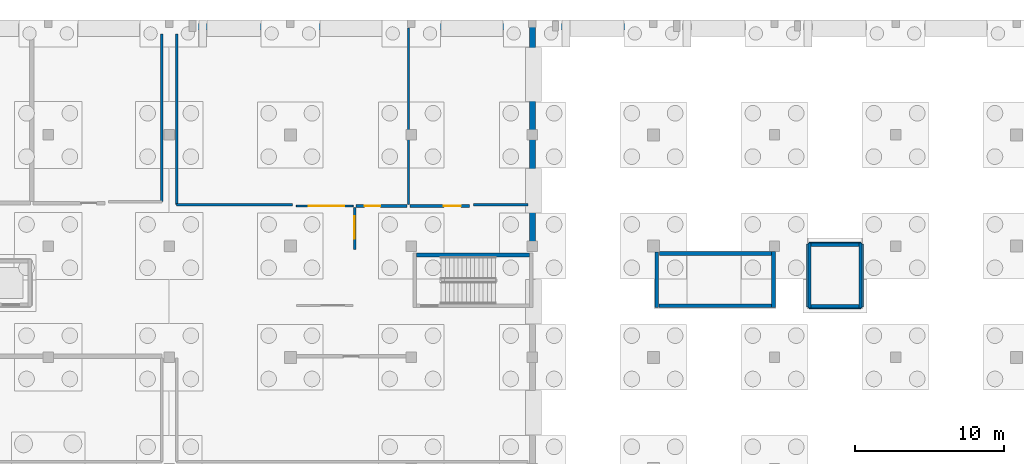
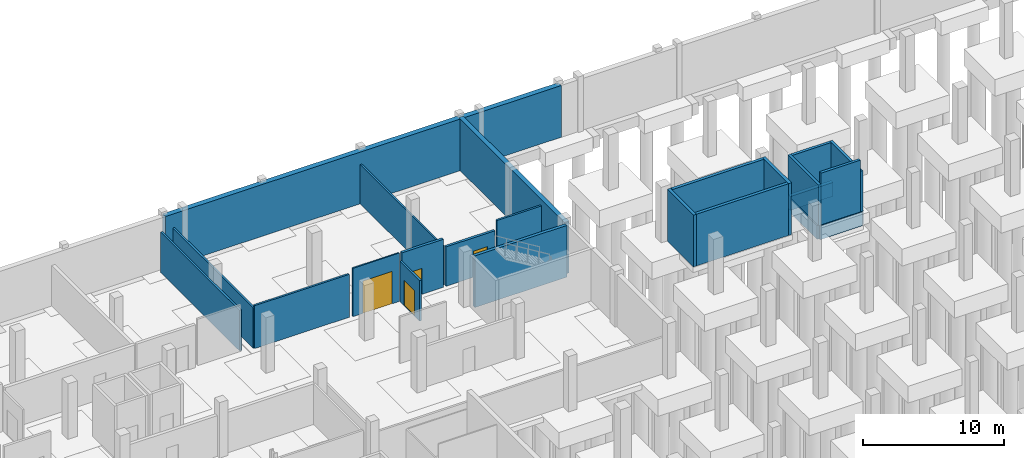
# One storey, part 30 of 37: 24 walls, 4 doors, 4 openings.
"""IFC4 building model written with IfcOpenShell, lengths in metres."""

from ifc_helpers import new_model, si_unit, direction, frame, frame_2d, origin, place, context, subcontext, project, spatial, rectangle, extrude, material, layer, layer_set, type_object, element, fill, save


model = new_model("IFC4")

# Units and contexts
model_context = context("Model", 3, precision=1e-05, world=origin(), true_north=direction((0.0, 1.0)))
body_context = subcontext(model_context, "Body", "Model", "MODEL_VIEW")
ifc_project = project(units=[si_unit("LENGTHUNIT", "METRE"), si_unit("AREAUNIT", "SQUARE_METRE"), si_unit("VOLUMEUNIT", "CUBIC_METRE"), si_unit("PLANEANGLEUNIT", "RADIAN"), si_unit("MASSUNIT", "GRAM", prefix="KILO")], contexts=[model_context])

# Site, building, storey
site_placement = place(None, origin())
site = spatial("IfcSite", under=ifc_project, at=site_placement, CompositionType="ELEMENT")
building_placement = place(site_placement, origin())
building = spatial("IfcBuilding", under=site, at=building_placement, Name="Kaelora Sail Theatre", CompositionType="ELEMENT")
storey_placement = place(building_placement, frame((0.0, 0.0, -4.800048828125)))
storey = spatial("IfcBuildingStorey", under=building, at=storey_placement, Name="B1", CompositionType="ELEMENT", Elevation=-4.800048828125)

# Walls
ifc_material_1 = material(Name="Concrete C40/50", Category="concrete")
ifc_layer_1 = layer(ifc_material_1, 0.25)
ifc_layer_set_1 = layer_set([ifc_layer_1], Name="Concrete C40/50")
wall_type_1 = type_object("IfcWallType", Name="ARC-WL-CW-250", PredefinedType="SHEAR", material=ifc_layer_set_1)
for number, where, z_axis, x_axis, name in (
    (1, (82.85498046875, 97.625, 0.0), (0.0, 0.0, 1.0), (1.0, 0.0, 0.0), "Stair shaft ST-K3 wall B1-N"),
    (2, (99.054931640625, 94.22509765625, 0.0), (0.0, 0.0, 1.0), (1.0, 0.0, 0.0), "Stair shaft ST-K4 wall B1-S"),
):
    element("IfcWall", number, at=place(storey_placement, frame(where, z_axis=z_axis, x_axis=x_axis)), inside=storey, type_object=wall_type_1, Name=name, PredefinedType="SHEAR", context=body_context, shape_type="SweptSolid", body=[
        extrude(rectangle(XDim=7.5400390625, YDim=0.25, at=frame_2d((3.77001953125, 0.0))), origin(), (0.0, 0.0, 1.0), 4.47998046875),
    ])
wall_1_placement = place(storey_placement, frame((99.10498046875, 97.72509765625, 0.0), z_axis=(0.0, 0.0, 1.0), x_axis=(1.0, 0.0, 0.0)))
element("IfcWall", 3, at=wall_1_placement, inside=storey, type_object=wall_type_1, Name="Stair shaft ST-K4 wall B1-N", PredefinedType="SHEAR", context=body_context, shape_type="SweptSolid", body=[
    extrude(rectangle(XDim=7.489990234375, YDim=0.25, at=frame_2d((3.7451171875, 0.0))), origin(), (0.0, 0.0, 1.0), 4.47998046875),
])
wall_2_placement = place(storey_placement, frame((98.925048828125, 94.10009765625, 0.0), z_axis=(0.0, 0.0, 1.0), x_axis=(0.0, 1.0, 0.0)))
element("IfcWall", 4, at=wall_2_placement, inside=storey, type_object=wall_type_1, Name="Stair shaft ST-K4 wall B1-W", PredefinedType="SHEAR", context=body_context, shape_type="SweptSolid", body=[
    extrude(rectangle(XDim=3.71484375, YDim=0.25, at=frame_2d((1.857421875, 0.0))), origin(), (0.0, 0.0, 1.0), 4.47998046875),
])
wall_3_placement = place(storey_placement, frame((106.72509765625, 94.10009765625, 0.0), z_axis=(0.0, 0.0, 1.0), x_axis=(0.0, 1.0, 0.0)))
element("IfcWall", 5, at=wall_3_placement, inside=storey, type_object=wall_type_1, Name="Stair shaft ST-K4 wall B1-E", PredefinedType="SHEAR", context=body_context, shape_type="SweptSolid", body=[
    extrude(rectangle(XDim=3.75, YDim=0.25, at=frame_2d((1.875, 0.0))), origin(), (0.0, 0.0, 1.0), 4.47998046875),
])

# Wall, opening, door
ifc_material_2 = material(Name="Office acoustic stud partition 110 mm", Category="gypsum")
ifc_layer_2 = layer(ifc_material_2, 0.110107421875)
ifc_layer_set_2 = layer_set([ifc_layer_2], Name="Office acoustic stud partition 110 mm")
wall_type_2 = type_object("IfcWallType", Name="ARC-WL-PT-110", PredefinedType="PARTITIONING", material=ifc_layer_set_2)
wall_4_placement = place(storey_placement, frame((74.800048828125, 100.89990234375, 0.0), z_axis=(0.0, 0.0, 1.0), x_axis=(1.0, 0.0, 0.0)))
wall_4 = element("IfcWall", 6, at=wall_4_placement, inside=storey, type_object=wall_type_2, Name="Interior acoustic partition B1-COR-SPUR2/B1-INST", PredefinedType="PARTITIONING", context=body_context, shape_type="SweptSolid", body=[
    extrude(rectangle(XDim=3.800048828125, YDim=0.110107421875, at=frame_2d((1.89990234375, 0.0))), origin(), (0.0, 0.0, 1.0), 4.192138671875),
])
opening_1_placement = place(wall_4_placement, frame((0.820068359375, 0.0, 0.0)))
opening_1 = element("IfcOpeningElement", 7, at=opening_1_placement, cuts=wall_4, Name="Opening ID-05", PredefinedType="OPENING", context=body_context, shape_type="SweptSolid", body=[
    extrude(rectangle(XDim=2.39990234375, YDim=2.800048828125, at=frame_2d((1.199951171875, 1.39990234375))), frame((0.0, 0.065176, 0.0), z_axis=(0.0, -1.0, 0.0), x_axis=(1.0, 0.0, 0.0)), (0.0, 0.0, 1.0), 0.130107),
])
ifc_material_3 = material(Name="Scenery workshop oversize acoustic double door", Category="steel")
door_type_1 = type_object("IfcDoorType", Name="ARC-DR-ID-05", OperationType="NOTDEFINED", PredefinedType="DOOR", material=ifc_material_3)
door_1_placement = place(opening_1_placement, origin())
door_1 = element("IfcDoor", 8, at=door_1_placement, inside=storey, type_object=door_type_1, Name="Interior door B1-COR-SPUR2 to B1-INST", OperationType="DOUBLE_DOOR_SINGLE_SWING", OverallHeight=2.800048828125, OverallWidth=2.39990234375, PredefinedType="DOOR", context=body_context, shape_type="SweptSolid", body=[
    extrude(rectangle(XDim=2.39990234375, YDim=2.800048828125, at=frame_2d((1.199951171875, 1.39990234375))), frame((0.0, 0.02490234375, 0.0), z_axis=(0.0, -1.0, 0.0), x_axis=(1.0, 0.0, 0.0)), (0.0, 0.0, 1.0), 0.050048828125),
])
fill(opening_1, door_1)

# Walls
ifc_material_4 = material(Name="Fire-rated stud partition 140 mm", Category="gypsum")
ifc_layer_3 = layer(ifc_material_4, 0.139892578125)
ifc_layer_set_3 = layer_set([ifc_layer_3], Name="Fire-rated stud partition 140 mm")
wall_type_3 = type_object("IfcWallType", Name="ARC-WL-PT-140", PredefinedType="PARTITIONING", material=ifc_layer_set_3)
wall_5_placement = place(storey_placement, frame((82.300048828125, 101.0, 0.0), z_axis=(0.0, 0.0, 1.0), x_axis=(0.0, 1.0, 0.0)))
element("IfcWall", 9, at=wall_5_placement, inside=storey, type_object=wall_type_3, Name="Interior acoustic partition B1-INST/B1-ARCH", PredefinedType="PARTITIONING", context=body_context, shape_type="SweptSolid", body=[
    extrude(rectangle(XDim=11.81005859375, YDim=0.139892578125, at=frame_2d((5.905029296875, 0.0))), origin(), (0.0, 0.0, 1.0), 3.412109375),
])
ifc_material_5 = material(Name="Acoustic metal-stud plasterboard 160 mm", Category="gypsum")
ifc_layer_4 = layer(ifc_material_5, 0.159912109375)
ifc_layer_set_4 = layer_set([ifc_layer_4], Name="Acoustic metal-stud plasterboard 160 mm")
wall_type_4 = type_object("IfcWallType", Name="ARC-WL-PT-160", PredefinedType="PARTITIONING", material=ifc_layer_set_4)
wall_6_placement = place(storey_placement, frame((65.800048828125, 101.199951171875, 0.0), z_axis=(0.0, 0.0, 1.0), x_axis=(0.0, 1.0, 0.0)))
element("IfcWall", 10, at=wall_6_placement, inside=storey, type_object=wall_type_4, Name="Room enclosure wall B1-PUMP-E1", PredefinedType="PARTITIONING", context=body_context, shape_type="SweptSolid", body=[
    extrude(rectangle(XDim=11.199951171875, YDim=0.159912109375, at=frame_2d((5.60009765625, 0.0))), origin(), (0.0, 0.0, 1.0), 3.511962890625),
])
wall_7_placement = place(storey_placement, frame((66.800048828125, 101.0, 0.0), z_axis=(0.0, 0.0, 1.0), x_axis=(1.0, 0.0, 0.0)))
element("IfcWall", 11, at=wall_7_placement, inside=storey, type_object=wall_type_4, Name="Room enclosure wall B1-INST-S1", PredefinedType="PARTITIONING", context=body_context, shape_type="SweptSolid", body=[
    extrude(rectangle(XDim=7.75, YDim=0.159912109375, at=frame_2d((3.875, 0.0))), origin(), (0.0, 0.0, 1.0), 3.712158203125),
])
wall_8_placement = place(storey_placement, frame((66.800048828125, 101.0, 0.0), z_axis=(0.0, 0.0, 1.0), x_axis=(0.0, 1.0, 0.0)))
element("IfcWall", 12, at=wall_8_placement, inside=storey, type_object=wall_type_4, Name="Room enclosure wall B1-INST-W1", PredefinedType="PARTITIONING", context=body_context, shape_type="SweptSolid", body=[
    extrude(rectangle(XDim=11.39990234375, YDim=0.159912109375, at=frame_2d((5.699951171875, 0.0))), origin(), (0.0, 0.0, 1.0), 3.511962890625),
])
wall_9_placement = place(storey_placement, frame((86.64990234375, 101.0, 0.0), z_axis=(0.0, 0.0, 1.0), x_axis=(1.0, 0.0, 0.0)))
element("IfcWall", 13, at=wall_9_placement, inside=storey, type_object=wall_type_4, Name="Room enclosure wall B1-ARCH-S1", PredefinedType="PARTITIONING", context=body_context, shape_type="SweptSolid", body=[
    extrude(rectangle(XDim=3.650146484375, YDim=0.159912109375, at=frame_2d((1.8251953125, 0.0))), origin(), (0.0, 0.0, 1.0), 4.132080078125),
])

# Wall, opening, door
ifc_material_6 = material(Name="Workshop acoustic stud partition 170 mm", Category="gypsum")
ifc_layer_5 = layer(ifc_material_6, 0.169921875)
ifc_layer_set_5 = layer_set([ifc_layer_5], Name="Workshop acoustic stud partition 170 mm")
wall_type_5 = type_object("IfcWallType", Name="ARC-WL-PT-170", PredefinedType="PARTITIONING", material=ifc_layer_set_5)
wall_10_placement = place(storey_placement, frame((78.699951171875, 98.0, 0.0), z_axis=(0.0, 0.0, 1.0), x_axis=(0.0, 1.0, 0.0)))
wall_10 = element("IfcWall", 14, at=wall_10_placement, inside=storey, type_object=wall_type_5, Name="Interior acoustic partition B1-COR-SPUR2/B1-COR-SPUR2E", PredefinedType="PARTITIONING", context=body_context, shape_type="SweptSolid", body=[
    extrude(rectangle(XDim=2.800048828125, YDim=0.169921875, at=frame_2d((1.39990234375, 0.0))), origin(), (0.0, 0.0, 1.0), 3.511962890625),
])
opening_2_placement = place(wall_10_placement, frame((0.719970703125, 0.0, 0.0)))
opening_2 = element("IfcOpeningElement", 15, at=opening_2_placement, cuts=wall_10, Name="Opening FD-01", PredefinedType="OPENING", context=body_context, shape_type="SweptSolid", body=[
    extrude(rectangle(XDim=1.5, YDim=2.199951171875, at=frame_2d((0.75, 1.10009765625))), frame((0.0, 0.094961, 0.0), z_axis=(0.0, -1.0, 0.0), x_axis=(1.0, 0.0, 0.0)), (0.0, 0.0, 1.0), 0.189922),
])
ifc_material_7 = material(Name="Acoustic steel double fire door EI 90-C", Category="steel")
door_type_2 = type_object("IfcDoorType", Name="ARC-DR-FD-01", OperationType="NOTDEFINED", PredefinedType="DOOR", material=ifc_material_7)
door_2_placement = place(opening_2_placement, origin())
door_2 = element("IfcDoor", 16, at=door_2_placement, inside=storey, type_object=door_type_2, Name="Interior door B1-COR-SPUR2 to B1-COR-SPUR2E", OperationType="DOUBLE_DOOR_SINGLE_SWING", OverallHeight=2.199951171875, OverallWidth=1.5, PredefinedType="DOOR", context=body_context, shape_type="SweptSolid", body=[
    extrude(rectangle(XDim=1.5, YDim=2.199951171875, at=frame_2d((0.75, 1.10009765625))), frame((0.0, 0.02490234375, 0.0), z_axis=(0.0, -1.0, 0.0), x_axis=(1.0, 0.0, 0.0)), (0.0, 0.0, 1.0), 0.050048828125),
])
fill(opening_2, door_2)

ifc_material_8 = material(Name="Acoustic double-stud plasterboard 200 mm", Category="gypsum")
ifc_layer_6 = layer(ifc_material_8, 0.199951171875)
ifc_layer_set_6 = layer_set([ifc_layer_6], Name="Acoustic double-stud plasterboard 200 mm")
wall_type_6 = type_object("IfcWallType", Name="ARC-WL-PT-200", PredefinedType="PARTITIONING", material=ifc_layer_set_6)
wall_11_placement = place(storey_placement, frame((82.39990234375, 100.89990234375, 0.0), z_axis=(0.0, 0.0, 1.0), x_axis=(1.0, 0.0, 0.0)))
wall_11 = element("IfcWall", 17, at=wall_11_placement, inside=storey, type_object=wall_type_6, Name="Interior acoustic partition B1-COR-SPUR2E/B1-ARCH", PredefinedType="PARTITIONING", context=body_context, shape_type="SweptSolid", body=[
    extrude(rectangle(XDim=4.0, YDim=0.199951171875, at=frame_2d((2.0, 0.0))), origin(), (0.0, 0.0, 1.0), 3.412109375),
])
opening_3_placement = place(wall_11_placement, frame((2.27001953125, 0.0, 0.0)))
opening_3 = element("IfcOpeningElement", 18, at=opening_3_placement, cuts=wall_11, Name="Opening ID-07", PredefinedType="OPENING", context=body_context, shape_type="SweptSolid", body=[
    extrude(rectangle(XDim=1.14990234375, YDim=2.25, at=frame_2d((0.574951171875, 1.125))), frame((0.0, 0.110098, 0.0), z_axis=(0.0, -1.0, 0.0), x_axis=(1.0, 0.0, 0.0)), (0.0, 0.0, 1.0), 0.219951),
])
ifc_material_9 = material(Name="Chorus ensemble wide single door", Category="steel")
door_type_3 = type_object("IfcDoorType", Name="ARC-DR-ID-07", OperationType="NOTDEFINED", PredefinedType="DOOR", material=ifc_material_9)
door_3_placement = place(opening_3_placement, origin())
door_3 = element("IfcDoor", 19, at=door_3_placement, inside=storey, type_object=door_type_3, Name="Interior door B1-COR-SPUR2E to B1-ARCH", OperationType="SINGLE_SWING_RIGHT", OverallHeight=2.25, OverallWidth=1.14990234375, PredefinedType="DOOR", context=body_context, shape_type="SweptSolid", body=[
    extrude(rectangle(XDim=1.14990234375, YDim=2.25, at=frame_2d((0.574951171875, 1.125))), frame((0.0, 0.02490234375, 0.0), z_axis=(0.0, -1.0, 0.0), x_axis=(1.0, 0.0, 0.0)), (0.0, 0.0, 1.0), 0.050048828125),
])
fill(opening_3, door_3)

ifc_material_10 = material(Name="Studio box-in-box acoustic partition 215 mm", Category="gypsum")
ifc_layer_7 = layer(ifc_material_10, 0.215087890625)
ifc_layer_set_7 = layer_set([ifc_layer_7], Name="Studio box-in-box acoustic partition 215 mm")
wall_type_7 = type_object("IfcWallType", Name="ARC-WL-PT-215", PredefinedType="PARTITIONING", material=ifc_layer_set_7)
wall_12_placement = place(storey_placement, frame((78.800048828125, 100.89990234375, 0.0), z_axis=(0.0, 0.0, 1.0), x_axis=(1.0, 0.0, 0.0)))
wall_12 = element("IfcWall", 20, at=wall_12_placement, inside=storey, type_object=wall_type_7, Name="Interior acoustic partition B1-COR-SPUR2E/B1-INST", PredefinedType="PARTITIONING", context=body_context, shape_type="SweptSolid", body=[
    extrude(rectangle(XDim=3.39990234375, YDim=0.215087890625, at=frame_2d((1.699951171875, 0.0))), origin(), (0.0, 0.0, 1.0), 4.162109375),
])
opening_4_placement = place(wall_12_placement, frame((0.580078125, 0.0, 0.0)))
opening_4 = element("IfcOpeningElement", 21, at=opening_4_placement, cuts=wall_12, Name="Opening ID-06", PredefinedType="OPENING", context=body_context, shape_type="SweptSolid", body=[
    extrude(rectangle(XDim=1.050048828125, YDim=2.25, at=frame_2d((0.52490234375, 1.125))), frame((0.0, 0.117422, 0.0), z_axis=(0.0, -1.0, 0.0), x_axis=(1.0, 0.0, 0.0)), (0.0, 0.0, 1.0), 0.235088),
])
ifc_material_11 = material(Name="Soloist dressing acoustic timber door", Category="wood")
door_type_4 = type_object("IfcDoorType", Name="ARC-DR-ID-06", OperationType="NOTDEFINED", PredefinedType="DOOR", material=ifc_material_11)
door_4_placement = place(opening_4_placement, origin())
door_4 = element("IfcDoor", 22, at=door_4_placement, inside=storey, type_object=door_type_4, Name="Interior door B1-COR-SPUR2E to B1-INST", OperationType="SINGLE_SWING_LEFT", OverallHeight=2.25, OverallWidth=1.050048828125, PredefinedType="DOOR", context=body_context, shape_type="SweptSolid", body=[
    extrude(rectangle(XDim=1.050048828125, YDim=2.25, at=frame_2d((0.52490234375, 1.125))), frame((0.0, 0.02490234375, 0.0), z_axis=(0.0, -1.0, 0.0), x_axis=(1.0, 0.0, 0.0)), (0.0, 0.0, 1.0), 0.050048828125),
])
fill(opening_4, door_4)

# Walls
ifc_material_12 = material(Name="Concrete C40/50", Category="concrete")
ifc_layer_8 = layer(ifc_material_12, 0.3798828125)
ifc_layer_set_8 = layer_set([ifc_layer_8], Name="Concrete C40/50")
wall_type_8 = type_object("IfcWallType", Name="ARC-WL-RW-380", PredefinedType="USERDEFINED", material=ifc_layer_set_8)
wall_13_placement = place(storey_placement, frame((90.610107421875, 97.8798828125, 0.0), z_axis=(0.0, 0.0, 1.0), x_axis=(0.0, 1.0, 0.0)))
element("IfcWall", 23, at=wall_13_placement, inside=storey, type_object=wall_type_8, Name="Grounded concrete plinth retaining wall B1-RW-NW3-E2", ObjectType="RETAINING WALL", PredefinedType="USERDEFINED", context=body_context, shape_type="SweptSolid", body=[
    extrude(rectangle(XDim=15.010009765625, YDim=0.3798828125, at=frame_2d((7.5048828125, 0.0))), origin(), (0.0, 0.0, 1.0), 4.47998046875),
])
wall_14_placement = place(storey_placement, frame((109.10009765625, 94.14990234375, -1.199951171875), z_axis=(0.0, 0.0, 1.0), x_axis=(1.0, 0.0, 0.0)))
element("IfcWall", 24, at=wall_14_placement, inside=storey, type_object=wall_type_8, Name="Lift pit wall GL-01-1", ObjectType="RETAINING WALL", PredefinedType="USERDEFINED", context=body_context, shape_type="SweptSolid", body=[
    extrude(rectangle(XDim=3.5, YDim=0.300048828125, at=frame_2d((1.75, 0.0))), origin(), (0.0, 0.0, 1.0), 1.199951171875),
])
wall_15_placement = place(storey_placement, frame((112.60009765625, 94.14990234375, -1.199951171875), z_axis=(0.0, 0.0, 1.0), x_axis=(0.0, 1.0, 0.0)))
element("IfcWall", 25, at=wall_15_placement, inside=storey, type_object=wall_type_8, Name="Lift pit wall GL-01-2", ObjectType="RETAINING WALL", PredefinedType="USERDEFINED", context=body_context, shape_type="SweptSolid", body=[
    extrude(rectangle(XDim=4.2001953125, YDim=0.300048828125, at=frame_2d((2.10009765625, 0.0))), origin(), (0.0, 0.0, 1.0), 1.199951171875),
])
wall_16_placement = place(storey_placement, frame((112.60009765625, 98.35009765625, -1.199951171875), z_axis=(0.0, 0.0, 1.0), x_axis=(-1.0, 0.0, 0.0)))
element("IfcWall", 26, at=wall_16_placement, inside=storey, type_object=wall_type_8, Name="Lift pit wall GL-01-3", ObjectType="RETAINING WALL", PredefinedType="USERDEFINED", context=body_context, shape_type="SweptSolid", body=[
    extrude(rectangle(XDim=3.5, YDim=0.300048828125, at=frame_2d((1.75, 0.0))), origin(), (0.0, 0.0, 1.0), 1.199951171875),
])
wall_17_placement = place(storey_placement, frame((109.10009765625, 98.35009765625, -1.199951171875), z_axis=(0.0, 0.0, 1.0), x_axis=(0.0, -1.0, 0.0)))
element("IfcWall", 27, at=wall_17_placement, inside=storey, type_object=wall_type_8, Name="Lift pit wall GL-01-4", ObjectType="RETAINING WALL", PredefinedType="USERDEFINED", context=body_context, shape_type="SweptSolid", body=[
    extrude(rectangle(XDim=4.2001953125, YDim=0.300048828125, at=frame_2d((2.10009765625, 0.0))), origin(), (0.0, 0.0, 1.0), 1.199951171875),
])
ifc_material_13 = material(Name="Concrete C45/55", Category="concrete")
ifc_layer_9 = layer(ifc_material_13, 0.419921875)
ifc_layer_set_9 = layer_set([ifc_layer_9], Name="Concrete C45/55")
wall_type_9 = type_object("IfcWallType", Name="ARC-WL-RW-420", PredefinedType="USERDEFINED", material=ifc_layer_set_9)
wall_18_placement = place(storey_placement, frame((66.300048828125, 112.889892578125, 0.0), z_axis=(0.0, 0.0, 1.0), x_axis=(1.0, 0.0, 0.0)))
element("IfcWall", 28, at=wall_18_placement, inside=storey, type_object=wall_type_9, Name="Grounded concrete plinth retaining wall B1-PLINTH-NC2", ObjectType="RETAINING WALL", PredefinedType="USERDEFINED", context=body_context, shape_type="SweptSolid", body=[
    extrude(rectangle(XDim=32.39990234375, YDim=0.419921875, at=frame_2d((16.199951171875, 0.0))), origin(), (0.0, 0.0, 1.0), 4.47998046875),
])
ifc_material_14 = material(Name="Concrete C40/50", Category="concrete")
ifc_layer_10 = layer(ifc_material_14, 0.219970703125)
ifc_layer_set_10 = layer_set([ifc_layer_10], Name="Concrete C40/50")
wall_type_10 = type_object("IfcWallType", Name="ARC-WL-SW-220", PredefinedType="SOLIDWALL", material=ifc_layer_set_10)
wall_19_placement = place(storey_placement, frame((109.25, 94.18994140625, 0.0), z_axis=(0.0, 0.0, 1.0), x_axis=(1.0, 0.0, 0.0)))
element("IfcWall", 29, at=wall_19_placement, inside=storey, type_object=wall_type_10, Name="Lift GL-01 shaft wall B1-S", PredefinedType="SOLIDWALL", context=body_context, shape_type="SweptSolid", body=[
    extrude(rectangle(XDim=3.199951171875, YDim=0.219970703125, at=frame_2d((1.60009765625, 0.0))), origin(), (0.0, 0.0, 1.0), 4.47998046875),
])
wall_20_placement = place(storey_placement, frame((109.25, 98.31005859375, 0.0), z_axis=(0.0, 0.0, 1.0), x_axis=(1.0, 0.0, 0.0)))
element("IfcWall", 30, at=wall_20_placement, inside=storey, type_object=wall_type_10, Name="Lift GL-01 shaft wall B1-N", PredefinedType="SOLIDWALL", context=body_context, shape_type="SweptSolid", body=[
    extrude(rectangle(XDim=3.199951171875, YDim=0.219970703125, at=frame_2d((1.60009765625, 0.0))), origin(), (0.0, 0.0, 1.0), 3.511962890625),
])
for number, where, z_axis, x_axis, name in (
    (31, (109.139892578125, 94.080078125, 0.0), (0.0, 0.0, 1.0), (0.0, 1.0, 0.0), "Lift GL-01 shaft wall B1-W"),
    (32, (112.56005859375, 94.080078125, 0.0), (0.0, 0.0, 1.0), (0.0, 1.0, 0.0), "Lift GL-01 shaft wall B1-E"),
):
    element("IfcWall", number, at=place(storey_placement, frame(where, z_axis=z_axis, x_axis=x_axis)), inside=storey, type_object=wall_type_10, Name=name, PredefinedType="SOLIDWALL", context=body_context, shape_type="SweptSolid", body=[
        extrude(rectangle(XDim=4.33984375, YDim=0.219970703125, at=frame_2d((2.169921875, 0.0))), origin(), (0.0, 0.0, 1.0), 3.511962890625),
    ])

save(model, "model.ifc")
